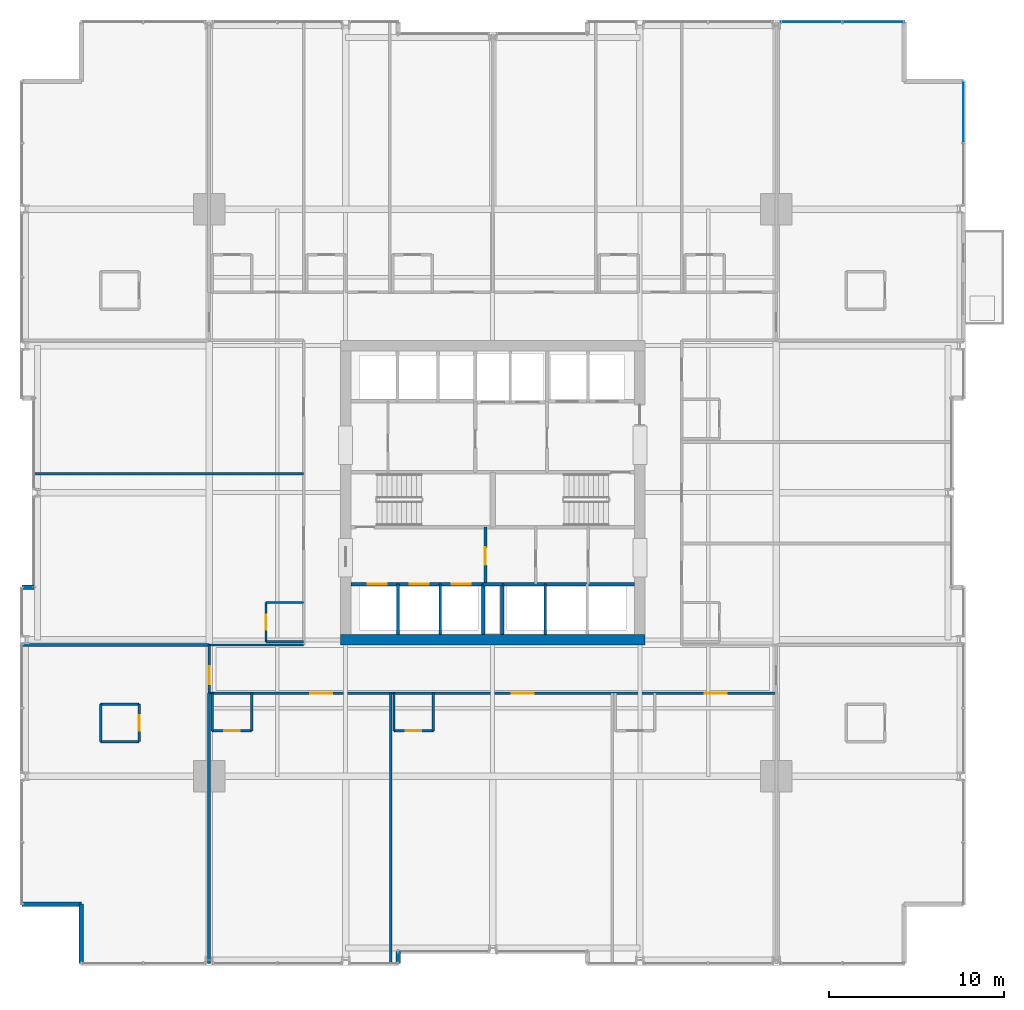
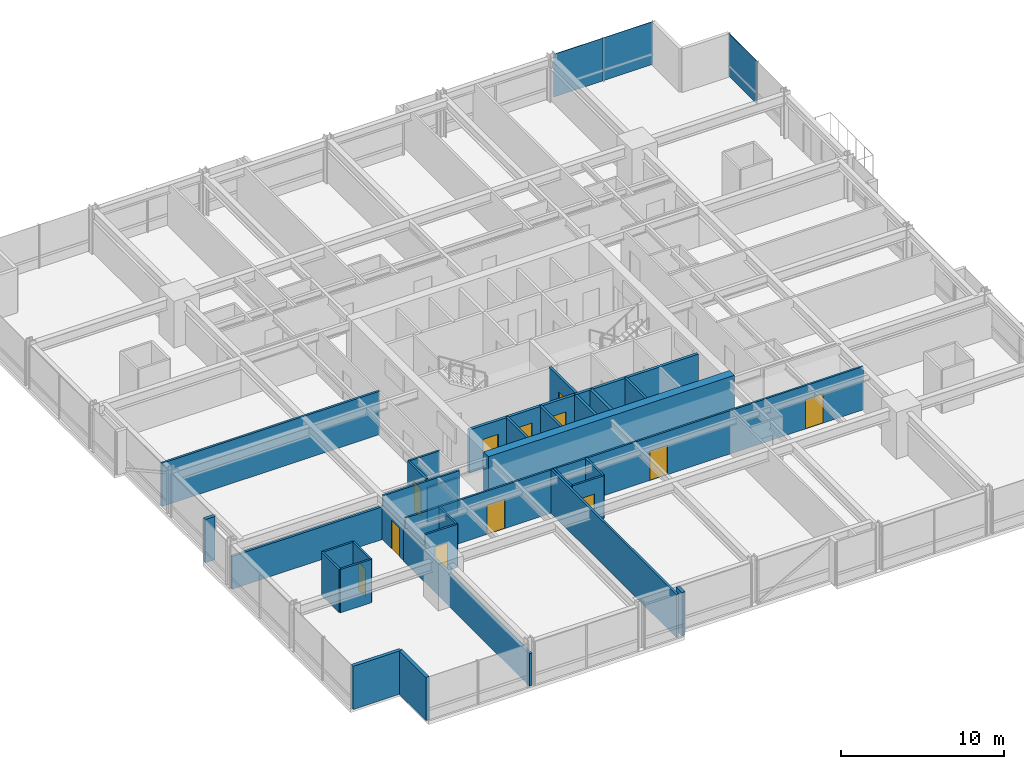
# One storey, part 30 of 38: 34 walls, 12 doors, 3 plates, 12 openings, 2 elements without a shape of their own.
"""IFC4 building model written with IfcOpenShell, lengths in metres."""

from ifc_helpers import new_model, si_unit, direction, frame, frame_2d, origin, origin_2d, place, context, subcontext, project, spatial, rectangle, extrude, material, layer, layer_set, type_object, element, fill, aggregate, save


model = new_model("IFC4")

# Units and contexts
model_context = context("Model", 3, precision=1e-05, world=origin(), true_north=direction((0.0, 1.0)))
body_context = subcontext(model_context, "Body", "Model", "MODEL_VIEW")
ifc_project = project(units=[si_unit("LENGTHUNIT", "METRE"), si_unit("AREAUNIT", "SQUARE_METRE"), si_unit("VOLUMEUNIT", "CUBIC_METRE"), si_unit("PLANEANGLEUNIT", "RADIAN"), si_unit("MASSUNIT", "GRAM", prefix="KILO")], contexts=[model_context])

# Site, building, storey
site_placement = place(None, origin())
site = spatial("IfcSite", under=ifc_project, at=site_placement, CompositionType="ELEMENT")
building_placement = place(site_placement, origin())
building = spatial("IfcBuilding", under=site, at=building_placement, Name="Drelvath Grand Hotel", CompositionType="ELEMENT")
storey_placement = place(building_placement, frame((0.0, 0.0, 64.699951171875)))
storey = spatial("IfcBuildingStorey", under=building, at=storey_placement, Name="L15", CompositionType="ELEMENT", Elevation=64.699951171875)

# Curtain wall, plate
ifc_material_1 = material(Name="Warm Bronze Anodised Aluminium Frame", Category="aluminium")
ifc_layer_1 = layer(ifc_material_1, 0.199951171875)
ifc_layer_set_1 = layer_set([ifc_layer_1], Name="Warm Bronze Anodised Aluminium Frame")
curtain_wall_type = type_object("IfcCurtainWallType", Name="Stick Curtain Wall CW-02 Warm Bronze Low-Rise", PredefinedType="NOTDEFINED", material=ifc_layer_set_1)
curtain_wall_1_placement = place(storey_placement, origin())
curtain_wall_1 = element("IfcCurtainWall", 1, at=curtain_wall_1_placement, inside=storey, type_object=curtain_wall_type, Name="L15 CW-02 Curtain Wall CW02-L15-EN3", PredefinedType="NOTDEFINED")
ifc_material_2 = material(Name="Low-E Triple Silver Vision Glass Bronze Tint", Category="glass")
ifc_layer_2 = layer(ifc_material_2, 0.035888671875)
ifc_layer_set_2 = layer_set([ifc_layer_2], Name="Low-E Triple Silver Vision Glass Bronze Tint")
plate_type = type_object("IfcPlateType", Name="Curtain Wall Vision Panel CW-02 36mm", PredefinedType="CURTAIN_PANEL", material=ifc_layer_set_2)
plate_1_placement = place(storey_placement, frame((26.8798828125, 48.732421875, 0.02001953125), z_axis=(0.0, 0.0, 1.0), x_axis=(0.0, -1.0, 0.0)))
plate_1 = element("IfcPlate", 2, at=plate_1_placement, type_object=plate_type, Name="CW02-L15-EN3 Glazed Panel 1", PredefinedType="CURTAIN_PANEL", context=body_context, shape_type="SweptSolid", body=[
    extrude(rectangle(XDim=3.49560546875, YDim=0.035888671875, at=origin_2d()), origin(), (0.0, 0.0, 1.0), 3.199951171875),
])
aggregate(curtain_wall_1, [plate_1])

# Curtain wall, plates
curtain_wall_2_placement = place(storey_placement, origin())
curtain_wall_2 = element("IfcCurtainWall", 3, at=curtain_wall_2_placement, inside=storey, type_object=curtain_wall_type, Name="L15 CW-02 Curtain Wall CW02-L15-NE3", PredefinedType="NOTDEFINED")
plate_2_placement = place(storey_placement, frame((18.19677734375, 53.8798828125, 0.02001953125), z_axis=(0.0, 0.0, 1.0), x_axis=(1.0, 0.0, 0.0)))
plate_2 = element("IfcPlate", 4, at=plate_2_placement, type_object=plate_type, Name="CW02-L15-NE3 Glazed Panel 1", PredefinedType="CURTAIN_PANEL", context=body_context, shape_type="SweptSolid", body=[
    extrude(rectangle(XDim=3.49560546875, YDim=0.035888671875, at=origin_2d()), origin(), (0.0, 0.0, 1.0), 3.199951171875),
])
plate_3_placement = place(storey_placement, frame((21.732421875, 53.8798828125, 0.02001953125), z_axis=(0.0, 0.0, 1.0), x_axis=(1.0, 0.0, 0.0)))
plate_3 = element("IfcPlate", 5, at=plate_3_placement, type_object=plate_type, Name="CW02-L15-NE3 Glazed Panel 2", PredefinedType="CURTAIN_PANEL", context=body_context, shape_type="SweptSolid", body=[
    extrude(rectangle(XDim=3.49560546875, YDim=0.035888671875, at=origin_2d()), origin(), (0.0, 0.0, 1.0), 3.199951171875),
])
aggregate(curtain_wall_2, [plate_2, plate_3])

# Wall, openings, doors
ifc_material_3 = material(Name="Concrete C40/50", Category="concrete")
ifc_layer_3 = layer(ifc_material_3, 0.199951171875)
ifc_layer_set_3 = layer_set([ifc_layer_3], Name="Concrete C40/50")
wall_type_1 = type_object("IfcWallType", Name="Core Hoistway Fire Wall 200", PredefinedType="SOLIDWALL", material=ifc_layer_set_3)
wall_1_placement = place(storey_placement, frame((-0.550048828125, 21.780029296875, 0.0), z_axis=(0.0, 0.0, 1.0), x_axis=(-1.0, 0.0, 0.0)))
wall_1 = element("IfcWall", 6, at=wall_1_placement, inside=storey, type_object=wall_type_1, Name="L15 Bank 1 Hoistway Wall", PredefinedType="SOLIDWALL", context=body_context, shape_type="SweptSolid", body=[
    extrude(rectangle(XDim=7.550048828125, YDim=0.199951171875, at=frame_2d((3.77490234375, 0.0))), origin(), (0.0, 0.0, 1.0), 3.239990234375),
])
opening_1_placement = place(wall_1_placement, frame((5.5, 0.0, 0.0)))
opening_1 = element("IfcOpeningElement", 7, at=opening_1_placement, cuts=wall_1, Name="Opening LD-PE-1", PredefinedType="OPENING", context=body_context, shape_type="SweptSolid", body=[
    extrude(rectangle(XDim=1.10009765625, YDim=2.199951171875, at=frame_2d((0.550048828125, 1.10009765625))), frame((0.0, 0.10986328125, 0.0), z_axis=(0.0, -1.0, 0.0), x_axis=(1.0, 0.0, 0.0)), (0.0, 0.0, 1.0), 0.219970703125),
])
opening_2_placement = place(wall_1_placement, frame((3.10009765625, 0.0, 0.0)))
opening_2 = element("IfcOpeningElement", 8, at=opening_2_placement, cuts=wall_1, Name="Opening LD-PE-2", PredefinedType="OPENING", context=body_context, shape_type="SweptSolid", body=[
    extrude(rectangle(XDim=1.10009765625, YDim=2.199951171875, at=frame_2d((0.550048828125, 1.10009765625))), frame((0.0, 0.10986328125, 0.0), z_axis=(0.0, -1.0, 0.0), x_axis=(1.0, 0.0, 0.0)), (0.0, 0.0, 1.0), 0.219970703125),
])
opening_3_placement = place(wall_1_placement, frame((0.699951171875, 0.0, 0.0)))
opening_3 = element("IfcOpeningElement", 9, at=opening_3_placement, cuts=wall_1, Name="Opening LD-PE-3", PredefinedType="OPENING", context=body_context, shape_type="SweptSolid", body=[
    extrude(rectangle(XDim=1.10009765625, YDim=2.199951171875, at=frame_2d((0.550048828125, 1.10009765625))), frame((0.0, 0.10986328125, 0.0), z_axis=(0.0, -1.0, 0.0), x_axis=(1.0, 0.0, 0.0)), (0.0, 0.0, 1.0), 0.219970703125),
])
ifc_material_4 = material(Name="Stainless Steel S355", Category="steel")
door_type_1 = type_object("IfcDoorType", Name="Passenger Lift Sliding Landing Door 1100x2200", OperationType="NOTDEFINED", PredefinedType="DOOR", material=ifc_material_4)
door_1_placement = place(opening_1_placement, origin())
door_1 = element("IfcDoor", 10, at=door_1_placement, inside=storey, type_object=door_type_1, Name="L15 Lift PE-1 Landing Door", OperationType="SLIDING_TO_LEFT", OverallHeight=2.199951171875, OverallWidth=1.10009765625, PredefinedType="DOOR", context=body_context, shape_type="SweptSolid", body=[
    extrude(rectangle(XDim=1.10009765625, YDim=2.199951171875, at=frame_2d((0.550048828125, 1.10009765625))), frame((0.0, 0.02490234375, 0.0), z_axis=(0.0, -1.0, 0.0), x_axis=(1.0, 0.0, 0.0)), (0.0, 0.0, 1.0), 0.050048828125),
])
fill(opening_1, door_1)
door_2_placement = place(opening_2_placement, origin())
door_2 = element("IfcDoor", 11, at=door_2_placement, inside=storey, type_object=door_type_1, Name="L15 Lift PE-2 Landing Door", OperationType="SLIDING_TO_LEFT", OverallHeight=2.199951171875, OverallWidth=1.10009765625, PredefinedType="DOOR", context=body_context, shape_type="SweptSolid", body=[
    extrude(rectangle(XDim=1.10009765625, YDim=2.199951171875, at=frame_2d((0.550048828125, 1.10009765625))), frame((0.0, 0.02490234375, 0.0), z_axis=(0.0, -1.0, 0.0), x_axis=(1.0, 0.0, 0.0)), (0.0, 0.0, 1.0), 0.050048828125),
])
fill(opening_2, door_2)
door_3_placement = place(opening_3_placement, origin())
door_3 = element("IfcDoor", 12, at=door_3_placement, inside=storey, type_object=door_type_1, Name="L15 Lift PE-3 Landing Door", OperationType="SLIDING_TO_LEFT", OverallHeight=2.199951171875, OverallWidth=1.10009765625, PredefinedType="DOOR", context=body_context, shape_type="SweptSolid", body=[
    extrude(rectangle(XDim=1.10009765625, YDim=2.199951171875, at=frame_2d((0.550048828125, 1.10009765625))), frame((0.0, 0.02490234375, 0.0), z_axis=(0.0, -1.0, 0.0), x_axis=(1.0, 0.0, 0.0)), (0.0, 0.0, 1.0), 0.050048828125),
])
fill(opening_3, door_3)

# Walls
wall_2_placement = place(storey_placement, frame((-0.550048828125, 18.89990234375, 0.0), z_axis=(0.0, 0.0, 1.0), x_axis=(0.0, 1.0, 0.0)))
element("IfcWall", 13, at=wall_2_placement, inside=storey, type_object=wall_type_1, Name="L15 Bank 1 East Wall", PredefinedType="SOLIDWALL", context=body_context, shape_type="SweptSolid", body=[
    extrude(rectangle(XDim=2.880126953125, YDim=0.199951171875, at=frame_2d((1.43994140625, 0.0))), origin(), (0.0, 0.0, 1.0), 3.239990234375),
])
wall_3_placement = place(storey_placement, frame((8.10009765625, 21.780029296875, 0.0), z_axis=(0.0, 0.0, 1.0), x_axis=(-1.0, 0.0, 0.0)))
element("IfcWall", 14, at=wall_3_placement, inside=storey, type_object=wall_type_1, Name="L15 Bank 2 Hoistway Wall", PredefinedType="SOLIDWALL", context=body_context, shape_type="SweptSolid", body=[
    extrude(rectangle(XDim=7.550048828125, YDim=0.199951171875, at=frame_2d((3.77490234375, 0.0))), origin(), (0.0, 0.0, 1.0), 3.239990234375),
])
wall_4_placement = place(storey_placement, frame((0.550048828125, 18.89990234375, 0.0), z_axis=(0.0, 0.0, 1.0), x_axis=(0.0, 1.0, 0.0)))
element("IfcWall", 15, at=wall_4_placement, inside=storey, type_object=wall_type_1, Name="L15 Bank 2 West Wall", PredefinedType="SOLIDWALL", context=body_context, shape_type="SweptSolid", body=[
    extrude(rectangle(XDim=2.880126953125, YDim=0.199951171875, at=frame_2d((1.43994140625, 0.0))), origin(), (0.0, 0.0, 1.0), 3.239990234375),
])
wall_5_placement = place(storey_placement, frame((-0.550048828125, 21.780029296875, 0.0), z_axis=(0.0, 0.0, 1.0), x_axis=(1.0, 0.0, 0.0)))
element("IfcWall", 16, at=wall_5_placement, inside=storey, type_object=wall_type_1, Name="L15 Core Riser Wall", PredefinedType="SOLIDWALL", context=body_context, shape_type="SweptSolid", body=[
    extrude(rectangle(XDim=1.10009765625, YDim=0.199951171875, at=frame_2d((0.550048828125, 0.0))), origin(), (0.0, 0.0, 1.0), 3.239990234375),
])
ifc_material_5 = material(Name="Gypsum Fireboard Partition")
ifc_layer_4 = layer(ifc_material_5, 0.1650390625)
ifc_layer_set_4 = layer_set([ifc_layer_4], Name="Gypsum Fireboard Partition")
wall_type_2 = type_object("IfcWallType", Name="Core Shaft Partition 165", PredefinedType="PARTITIONING", material=ifc_layer_set_4)
for number, where, z_axis, x_axis, name in (
    (17, (-5.39990234375, 18.89990234375, 0.0), (0.0, 0.0, 1.0), (0.0, 1.0, 0.0), "L15 Lift PE-1/2 Divider"),
    (18, (-3.0, 18.89990234375, 0.0), (0.0, 0.0, 1.0), (0.0, 1.0, 0.0), "L15 Lift PE-2/3 Divider"),
    (19, (3.0, 18.89990234375, 0.0), (0.0, 0.0, 1.0), (0.0, 1.0, 0.0), "L15 Lift PE-4/5 Divider"),
):
    element("IfcWall", number, at=place(storey_placement, frame(where, z_axis=z_axis, x_axis=x_axis)), inside=storey, type_object=wall_type_2, Name=name, PredefinedType="PARTITIONING", context=body_context, shape_type="SweptSolid", body=[
        extrude(rectangle(XDim=2.880126953125, YDim=0.1650390625, at=frame_2d((1.43994140625, 0.0))), origin(), (0.0, 0.0, 1.0), 3.239990234375),
    ])

# Wall, openings, doors
ifc_layer_5 = layer(ifc_material_5, 0.135009765625)
ifc_layer_set_5 = layer_set([ifc_layer_5], Name="Gypsum Fireboard Partition")
wall_type_3 = type_object("IfcWallType", Name="Corridor Fire Barrier Wall 135", PredefinedType="PARTITIONING", material=ifc_layer_set_5)
wall_6_placement = place(storey_placement, frame((-16.199951171875, 15.550048828125, 0.0), z_axis=(0.0, 0.0, 1.0), x_axis=(1.0, 0.0, 0.0)))
wall_6 = element("IfcWall", 20, at=wall_6_placement, inside=storey, type_object=wall_type_3, Name="L15 South Corridor Wall", PredefinedType="PARTITIONING", context=body_context, shape_type="SweptSolid", body=[
    extrude(rectangle(XDim=32.39990234375, YDim=0.135009765625, at=frame_2d((16.199951171875, 0.0))), origin(), (0.0, 0.0, 1.0), 3.239990234375),
])
opening_4_placement = place(wall_6_placement, frame((5.77490234375, 0.0, 0.0)))
opening_4 = element("IfcOpeningElement", 21, at=opening_4_placement, cuts=wall_6, Name="Opening D-T1G4-027", PredefinedType="OPENING", context=body_context, shape_type="SweptSolid", body=[
    extrude(rectangle(XDim=1.260009765625, YDim=2.199951171875, at=frame_2d((0.6298828125, 1.10009765625))), frame((0.0, 0.077392578125, 0.0), z_axis=(0.0, -1.0, 0.0), x_axis=(1.0, 0.0, 0.0)), (0.0, 0.0, 1.0), 0.155029296875),
])
opening_5_placement = place(wall_6_placement, frame((17.28564453125, 0.0, 0.0)))
opening_5 = element("IfcOpeningElement", 22, at=opening_5_placement, cuts=wall_6, Name="Opening D-T1G4-029", PredefinedType="OPENING", context=body_context, shape_type="SweptSolid", body=[
    extrude(rectangle(XDim=1.260009765625, YDim=2.199951171875, at=frame_2d((0.6298828125, 1.10009765625))), frame((0.0, 0.077392578125, 0.0), z_axis=(0.0, -1.0, 0.0), x_axis=(1.0, 0.0, 0.0)), (0.0, 0.0, 1.0), 0.155029296875),
])
opening_6_placement = place(wall_6_placement, frame((28.29541015625, 0.0, 0.0)))
opening_6 = element("IfcOpeningElement", 23, at=opening_6_placement, cuts=wall_6, Name="Opening D-T1G4-031", PredefinedType="OPENING", context=body_context, shape_type="SweptSolid", body=[
    extrude(rectangle(XDim=1.260009765625, YDim=2.199951171875, at=frame_2d((0.6298828125, 1.10009765625))), frame((0.0, 0.077392578125, 0.0), z_axis=(0.0, -1.0, 0.0), x_axis=(1.0, 0.0, 0.0)), (0.0, 0.0, 1.0), 0.155029296875),
])
ifc_material_6 = material(Name="Hardwood Walnut Timber", Category="wood")
door_type_2 = type_object("IfcDoorType", Name="Suite Entrance Fire Door 1260x2200", OperationType="NOTDEFINED", PredefinedType="DOOR", material=ifc_material_6)
door_4_placement = place(opening_4_placement, origin())
door_4 = element("IfcDoor", 24, at=door_4_placement, inside=storey, type_object=door_type_2, Name="L15 Corner Suite Entry Door", OperationType="SINGLE_SWING_RIGHT", OverallHeight=2.199951171875, OverallWidth=1.260009765625, PredefinedType="DOOR", context=body_context, shape_type="SweptSolid", body=[
    extrude(rectangle(XDim=1.260009765625, YDim=2.199951171875, at=frame_2d((0.6298828125, 1.10009765625))), frame((0.0, 0.02490234375, 0.0), z_axis=(0.0, -1.0, 0.0), x_axis=(1.0, 0.0, 0.0)), (0.0, 0.0, 1.0), 0.050048828125),
])
fill(opening_4, door_4)
door_5_placement = place(opening_5_placement, origin())
door_5 = element("IfcDoor", 25, at=door_5_placement, inside=storey, type_object=door_type_2, Name="L15 Corner Suite Entry Door", OperationType="SINGLE_SWING_RIGHT", OverallHeight=2.199951171875, OverallWidth=1.260009765625, PredefinedType="DOOR", context=body_context, shape_type="SweptSolid", body=[
    extrude(rectangle(XDim=1.260009765625, YDim=2.199951171875, at=frame_2d((0.6298828125, 1.10009765625))), frame((0.0, 0.02490234375, 0.0), z_axis=(0.0, -1.0, 0.0), x_axis=(1.0, 0.0, 0.0)), (0.0, 0.0, 1.0), 0.050048828125),
])
fill(opening_5, door_5)
door_6_placement = place(opening_6_placement, origin())
door_6 = element("IfcDoor", 26, at=door_6_placement, inside=storey, type_object=door_type_2, Name="L15 Corner Suite Entry Door", OperationType="SINGLE_SWING_RIGHT", OverallHeight=2.199951171875, OverallWidth=1.260009765625, PredefinedType="DOOR", context=body_context, shape_type="SweptSolid", body=[
    extrude(rectangle(XDim=1.260009765625, YDim=2.199951171875, at=frame_2d((0.6298828125, 1.10009765625))), frame((0.0, 0.02490234375, 0.0), z_axis=(0.0, -1.0, 0.0), x_axis=(1.0, 0.0, 0.0)), (0.0, 0.0, 1.0), 0.050048828125),
])
fill(opening_6, door_6)

# Wall
wall_7_placement = place(storey_placement, frame((-16.199951171875, 18.300048828125, 0.0), z_axis=(0.0, 0.0, 1.0), x_axis=(1.0, 0.0, 0.0)))
element("IfcWall", 27, at=wall_7_placement, inside=storey, type_object=wall_type_3, Name="L15 SW Spur Inner Wall", PredefinedType="PARTITIONING", context=body_context, shape_type="SweptSolid", body=[
    extrude(rectangle(XDim=5.39990234375, YDim=0.135009765625, at=frame_2d((2.699951171875, 0.0))), origin(), (0.0, 0.0, 1.0), 3.239990234375),
])

# Wall, opening, door
wall_8_placement = place(storey_placement, frame((-16.199951171875, 15.550048828125, 0.0), z_axis=(0.0, 0.0, 1.0), x_axis=(0.0, 1.0, 0.0)))
wall_8 = element("IfcWall", 28, at=wall_8_placement, inside=storey, type_object=wall_type_3, Name="L15 South Corridor West End", PredefinedType="PARTITIONING", context=body_context, shape_type="SweptSolid", body=[
    extrude(rectangle(XDim=2.75, YDim=0.135009765625, at=frame_2d((1.375, 0.0))), origin(), (0.0, 0.0, 1.0), 2.451904296875),
])
opening_7_placement = place(wall_8_placement, frame((0.52001953125, 0.0, 0.0)))
opening_7 = element("IfcOpeningElement", 29, at=opening_7_placement, cuts=wall_8, Name="Opening D-T1G4-019", PredefinedType="OPENING", context=body_context, shape_type="SweptSolid", body=[
    extrude(rectangle(XDim=1.02001953125, YDim=2.14990234375, at=frame_2d((0.510009765625, 1.074951171875))), frame((0.0, 0.077392578125, 0.0), z_axis=(0.0, -1.0, 0.0), x_axis=(1.0, 0.0, 0.0)), (0.0, 0.0, 1.0), 0.155029296875),
])
door_type_3 = type_object("IfcDoorType", Name="Amenity Meeting Fire Door 1020x2150", OperationType="NOTDEFINED", PredefinedType="DOOR", material=ifc_material_6)
door_7_placement = place(opening_7_placement, origin())
door_7 = element("IfcDoor", 30, at=door_7_placement, inside=storey, type_object=door_type_3, Name="L15 Corner Suite Entry Door", OperationType="SINGLE_SWING_RIGHT", OverallHeight=2.14990234375, OverallWidth=1.02001953125, PredefinedType="DOOR", context=body_context, shape_type="SweptSolid", body=[
    extrude(rectangle(XDim=1.02001953125, YDim=2.14990234375, at=frame_2d((0.510009765625, 1.074951171875))), frame((0.0, 0.02490234375, 0.0), z_axis=(0.0, -1.0, 0.0), x_axis=(1.0, 0.0, 0.0)), (0.0, 0.0, 1.0), 0.050048828125),
])
fill(opening_7, door_7)

# Walls
ifc_material_7 = material(Name="Moisture-Resistant Gypsum Board")
ifc_layer_6 = layer(ifc_material_7, 0.139892578125)
ifc_layer_set_6 = layer_set([ifc_layer_6], Name="Moisture-Resistant Gypsum Board")
wall_type_4 = type_object("IfcWallType", Name="En-Suite Plumbing Wall 140", PredefinedType="PLUMBINGWALL", material=ifc_layer_set_6)
for number, where, z_axis, x_axis, name in (
    (31, (-22.39990234375, 12.780029296875, 0.0), (0.0, 0.0, 1.0), (1.0, 0.0, 0.0), "L15 Corner En-Suite South"),
    (32, (-22.39990234375, 14.929931640625, 0.0), (0.0, 0.0, 1.0), (1.0, 0.0, 0.0), "L15 Corner En-Suite North"),
):
    element("IfcWall", number, at=place(storey_placement, frame(where, z_axis=z_axis, x_axis=x_axis)), inside=storey, type_object=wall_type_4, Name=name, PredefinedType="PLUMBINGWALL", context=body_context, shape_type="SweptSolid", body=[
        extrude(rectangle(XDim=2.199951171875, YDim=0.139892578125, at=frame_2d((1.10009765625, 0.0))), origin(), (0.0, 0.0, 1.0), 3.239990234375),
    ])
wall_9_placement = place(storey_placement, frame((-22.39990234375, 12.780029296875, 0.0), z_axis=(0.0, 0.0, 1.0), x_axis=(0.0, 1.0, 0.0)))
element("IfcWall", 33, at=wall_9_placement, inside=storey, type_object=wall_type_4, Name="L15 Corner En-Suite West", PredefinedType="PLUMBINGWALL", context=body_context, shape_type="SweptSolid", body=[
    extrude(rectangle(XDim=2.14990234375, YDim=0.139892578125, at=frame_2d((1.074951171875, 0.0))), origin(), (0.0, 0.0, 1.0), 3.239990234375),
])

# Wall, opening, door
wall_10_placement = place(storey_placement, frame((-20.199951171875, 12.780029296875, 0.0), z_axis=(0.0, 0.0, 1.0), x_axis=(0.0, 1.0, 0.0)))
wall_10 = element("IfcWall", 34, at=wall_10_placement, inside=storey, type_object=wall_type_4, Name="L15 Corner En-Suite East", PredefinedType="PLUMBINGWALL", context=body_context, shape_type="SweptSolid", body=[
    extrude(rectangle(XDim=2.14990234375, YDim=0.139892578125, at=frame_2d((1.074951171875, 0.0))), origin(), (0.0, 0.0, 1.0), 3.239990234375),
])
opening_8_placement = place(wall_10_placement, frame((0.6201171875, 0.0, 0.0)))
opening_8 = element("IfcOpeningElement", 35, at=opening_8_placement, cuts=wall_10, Name="Opening D-T1G4-018", PredefinedType="OPENING", context=body_context, shape_type="SweptSolid", body=[
    extrude(rectangle(XDim=0.8798828125, YDim=2.10009765625, at=frame_2d((0.43994140625, 1.050048828125))), frame((0.0, 0.079833984375, 0.0), z_axis=(0.0, -1.0, 0.0), x_axis=(1.0, 0.0, 0.0)), (0.0, 0.0, 1.0), 0.159912109375),
])
door_type_4 = type_object("IfcDoorType", Name="En-Suite Bathroom Door 880x2100", OperationType="NOTDEFINED", PredefinedType="DOOR", material=ifc_material_6)
door_8_placement = place(opening_8_placement, origin())
door_8 = element("IfcDoor", 36, at=door_8_placement, inside=storey, type_object=door_type_4, Name="L15 Corner En-Suite Door", OperationType="SINGLE_SWING_LEFT", OverallHeight=2.10009765625, OverallWidth=0.8798828125, PredefinedType="DOOR", context=body_context, shape_type="SweptSolid", body=[
    extrude(rectangle(XDim=0.8798828125, YDim=2.10009765625, at=frame_2d((0.43994140625, 1.050048828125))), frame((0.0, 0.02490234375, 0.0), z_axis=(0.0, -1.0, 0.0), x_axis=(1.0, 0.0, 0.0)), (0.0, 0.0, 1.0), 0.050048828125),
])
fill(opening_8, door_8)

# Walls
wall_11_placement = place(storey_placement, frame((-16.02001953125, 15.550048828125, 0.0), z_axis=(0.0, 0.0, 1.0), x_axis=(0.0, -1.0, 0.0)))
element("IfcWall", 37, at=wall_11_placement, inside=storey, type_object=wall_type_4, Name="L15 En-Suite Left Wall", PredefinedType="PLUMBINGWALL", context=body_context, shape_type="SweptSolid", body=[
    extrude(rectangle(XDim=2.150146484375, YDim=0.139892578125, at=frame_2d((1.0751953125, 0.0))), origin(), (0.0, 0.0, 1.0), 2.451904296875),
])
wall_12_placement = place(storey_placement, frame((-13.77001953125, 15.550048828125, 0.0), z_axis=(0.0, 0.0, 1.0), x_axis=(0.0, -1.0, 0.0)))
element("IfcWall", 38, at=wall_12_placement, inside=storey, type_object=wall_type_4, Name="L15 En-Suite Right Wall", PredefinedType="PLUMBINGWALL", context=body_context, shape_type="SweptSolid", body=[
    extrude(rectangle(XDim=2.150146484375, YDim=0.139892578125, at=frame_2d((1.0751953125, 0.0))), origin(), (0.0, 0.0, 1.0), 3.239990234375),
])

# Wall, opening, door
wall_13_placement = place(storey_placement, frame((-16.02001953125, 13.39990234375, 0.0), z_axis=(0.0, 0.0, 1.0), x_axis=(1.0, 0.0, 0.0)))
wall_13 = element("IfcWall", 39, at=wall_13_placement, inside=storey, type_object=wall_type_4, Name="L15 En-Suite Front Wall", PredefinedType="PLUMBINGWALL", context=body_context, shape_type="SweptSolid", body=[
    extrude(rectangle(XDim=2.25, YDim=0.139892578125, at=frame_2d((1.125, 0.0))), origin(), (0.0, 0.0, 1.0), 3.239990234375),
])
opening_9_placement = place(wall_13_placement, frame((0.68505859375, 0.0, 0.0)))
opening_9 = element("IfcOpeningElement", 40, at=opening_9_placement, cuts=wall_13, Name="Opening D-T1G4-026", PredefinedType="OPENING", context=body_context, shape_type="SweptSolid", body=[
    extrude(rectangle(XDim=0.8798828125, YDim=2.10009765625, at=frame_2d((0.43994140625, 1.050048828125))), frame((0.0, 0.079833984375, 0.0), z_axis=(0.0, -1.0, 0.0), x_axis=(1.0, 0.0, 0.0)), (0.0, 0.0, 1.0), 0.159912109375),
])
door_9_placement = place(opening_9_placement, origin())
door_9 = element("IfcDoor", 41, at=door_9_placement, inside=storey, type_object=door_type_4, Name="L15 En-Suite Bathroom Door", OperationType="SINGLE_SWING_LEFT", OverallHeight=2.10009765625, OverallWidth=0.8798828125, PredefinedType="DOOR", context=body_context, shape_type="SweptSolid", body=[
    extrude(rectangle(XDim=0.8798828125, YDim=2.10009765625, at=frame_2d((0.43994140625, 1.050048828125))), frame((0.0, 0.02490234375, 0.0), z_axis=(0.0, -1.0, 0.0), x_axis=(1.0, 0.0, 0.0)), (0.0, 0.0, 1.0), 0.050048828125),
])
fill(opening_9, door_9)

# Walls
for number, where, z_axis, x_axis, name in (
    (42, (-5.639892578125, 15.550048828125, 0.0), (0.0, 0.0, 1.0), (0.0, -1.0, 0.0), "L15 En-Suite Left Wall"),
    (43, (-3.389892578125, 15.550048828125, 0.0), (0.0, 0.0, 1.0), (0.0, -1.0, 0.0), "L15 En-Suite Right Wall"),
):
    element("IfcWall", number, at=place(storey_placement, frame(where, z_axis=z_axis, x_axis=x_axis)), inside=storey, type_object=wall_type_4, Name=name, PredefinedType="PLUMBINGWALL", context=body_context, shape_type="SweptSolid", body=[
        extrude(rectangle(XDim=2.150146484375, YDim=0.139892578125, at=frame_2d((1.0751953125, 0.0))), origin(), (0.0, 0.0, 1.0), 3.239990234375),
    ])

# Wall, opening, door
wall_14_placement = place(storey_placement, frame((-5.639892578125, 13.39990234375, 0.0), z_axis=(0.0, 0.0, 1.0), x_axis=(1.0, 0.0, 0.0)))
wall_14 = element("IfcWall", 44, at=wall_14_placement, inside=storey, type_object=wall_type_4, Name="L15 En-Suite Front Wall", PredefinedType="PLUMBINGWALL", context=body_context, shape_type="SweptSolid", body=[
    extrude(rectangle(XDim=2.25, YDim=0.139892578125, at=frame_2d((1.125, 0.0))), origin(), (0.0, 0.0, 1.0), 3.239990234375),
])
opening_10_placement = place(wall_14_placement, frame((0.68505859375, 0.0, 0.0)))
opening_10 = element("IfcOpeningElement", 45, at=opening_10_placement, cuts=wall_14, Name="Opening D-T1G4-028", PredefinedType="OPENING", context=body_context, shape_type="SweptSolid", body=[
    extrude(rectangle(XDim=0.8798828125, YDim=2.10009765625, at=frame_2d((0.43994140625, 1.050048828125))), frame((0.0, 0.079833984375, 0.0), z_axis=(0.0, -1.0, 0.0), x_axis=(1.0, 0.0, 0.0)), (0.0, 0.0, 1.0), 0.159912109375),
])
door_10_placement = place(opening_10_placement, origin())
door_10 = element("IfcDoor", 46, at=door_10_placement, inside=storey, type_object=door_type_4, Name="L15 En-Suite Bathroom Door", OperationType="SINGLE_SWING_LEFT", OverallHeight=2.10009765625, OverallWidth=0.8798828125, PredefinedType="DOOR", context=body_context, shape_type="SweptSolid", body=[
    extrude(rectangle(XDim=0.8798828125, YDim=2.10009765625, at=frame_2d((0.43994140625, 1.050048828125))), frame((0.0, 0.02490234375, 0.0), z_axis=(0.0, -1.0, 0.0), x_axis=(1.0, 0.0, 0.0)), (0.0, 0.0, 1.0), 0.050048828125),
])
fill(opening_10, door_10)

# Walls
wall_15_placement = place(storey_placement, frame((-10.800048828125, 18.47998046875, 0.0), z_axis=(0.0, 0.0, 1.0), x_axis=(-1.0, 0.0, 0.0)))
element("IfcWall", 47, at=wall_15_placement, inside=storey, type_object=wall_type_4, Name="L15 En-Suite Left Wall", PredefinedType="PLUMBINGWALL", context=body_context, shape_type="SweptSolid", body=[
    extrude(rectangle(XDim=2.14990234375, YDim=0.139892578125, at=frame_2d((1.074951171875, 0.0))), origin(), (0.0, 0.0, 1.0), 2.617431640625),
])
wall_16_placement = place(storey_placement, frame((-10.800048828125, 20.72998046875, 0.0), z_axis=(0.0, 0.0, 1.0), x_axis=(-1.0, 0.0, 0.0)))
element("IfcWall", 48, at=wall_16_placement, inside=storey, type_object=wall_type_4, Name="L15 En-Suite Right Wall", PredefinedType="PLUMBINGWALL", context=body_context, shape_type="SweptSolid", body=[
    extrude(rectangle(XDim=2.14990234375, YDim=0.139892578125, at=frame_2d((1.074951171875, 0.0))), origin(), (0.0, 0.0, 1.0), 3.239990234375),
])

# Wall, opening, door
wall_17_placement = place(storey_placement, frame((-12.949951171875, 18.47998046875, 0.0), z_axis=(0.0, 0.0, 1.0), x_axis=(0.0, 1.0, 0.0)))
wall_17 = element("IfcWall", 49, at=wall_17_placement, inside=storey, type_object=wall_type_4, Name="L15 En-Suite Front Wall", PredefinedType="PLUMBINGWALL", context=body_context, shape_type="SweptSolid", body=[
    extrude(rectangle(XDim=2.25, YDim=0.139892578125, at=frame_2d((1.125, 0.0))), origin(), (0.0, 0.0, 1.0), 3.239990234375),
])
opening_11_placement = place(wall_17_placement, frame((0.68505859375, 0.0, 0.0)))
opening_11 = element("IfcOpeningElement", 50, at=opening_11_placement, cuts=wall_17, Name="Opening D-T1G4-043", PredefinedType="OPENING", context=body_context, shape_type="SweptSolid", body=[
    extrude(rectangle(XDim=0.8798828125, YDim=2.10009765625, at=frame_2d((0.43994140625, 1.050048828125))), frame((0.0, 0.079833984375, 0.0), z_axis=(0.0, -1.0, 0.0), x_axis=(1.0, 0.0, 0.0)), (0.0, 0.0, 1.0), 0.159912109375),
])
door_11_placement = place(opening_11_placement, origin())
door_11 = element("IfcDoor", 51, at=door_11_placement, inside=storey, type_object=door_type_4, Name="L15 En-Suite Bathroom Door", OperationType="SINGLE_SWING_RIGHT", OverallHeight=2.10009765625, OverallWidth=0.8798828125, PredefinedType="DOOR", context=body_context, shape_type="SweptSolid", body=[
    extrude(rectangle(XDim=0.8798828125, YDim=2.10009765625, at=frame_2d((0.43994140625, 1.050048828125))), frame((0.0, 0.02490234375, 0.0), z_axis=(0.0, -1.0, 0.0), x_axis=(1.0, 0.0, 0.0)), (0.0, 0.0, 1.0), 0.050048828125),
])
fill(opening_11, door_11)

ifc_layer_7 = layer(ifc_material_5, 0.179931640625)
ifc_layer_set_7 = layer_set([ifc_layer_7], Name="Gypsum Fireboard Partition")
wall_type_5 = type_object("IfcWallType", Name="FSAE Smoke Lobby Fire Wall 180", PredefinedType="SOLIDWALL", material=ifc_layer_set_7)
wall_18_placement = place(storey_placement, frame((-0.419921875, 21.780029296875, 0.0), z_axis=(0.0, 0.0, 1.0), x_axis=(0.0, 1.0, 0.0)))
wall_18 = element("IfcWall", 52, at=wall_18_placement, inside=storey, type_object=wall_type_5, Name="L15 Low-Rise Lobby East Wall", PredefinedType="SOLIDWALL", context=body_context, shape_type="SweptSolid", body=[
    extrude(rectangle(XDim=3.260009765625, YDim=0.179931640625, at=frame_2d((1.6298828125, 0.0))), origin(), (0.0, 0.0, 1.0), 3.239990234375),
])
opening_12_placement = place(wall_18_placement, frame((1.10009765625, 0.0, 0.0)))
opening_12 = element("IfcOpeningElement", 53, at=opening_12_placement, cuts=wall_18, Name="Opening D-T1G4-014", PredefinedType="OPENING", context=body_context, shape_type="SweptSolid", body=[
    extrude(rectangle(XDim=1.0, YDim=2.10009765625, at=frame_2d((0.5, 1.050048828125))), frame((0.0, 0.099853515625, 0.0), z_axis=(0.0, -1.0, 0.0), x_axis=(1.0, 0.0, 0.0)), (0.0, 0.0, 1.0), 0.199951171875),
])
ifc_material_8 = material(Name="Painted Steel S275", Category="steel")
door_type_5 = type_object("IfcDoorType", Name="Core Service Fire Door 1000x2100", OperationType="NOTDEFINED", PredefinedType="DOOR", material=ifc_material_8)
door_12_placement = place(opening_12_placement, origin())
door_12 = element("IfcDoor", 54, at=door_12_placement, inside=storey, type_object=door_type_5, Name="L15 Housekeeping Entry Door", OperationType="SINGLE_SWING_LEFT", OverallHeight=2.10009765625, OverallWidth=1.0, PredefinedType="DOOR", context=body_context, shape_type="SweptSolid", body=[
    extrude(rectangle(XDim=1.0, YDim=2.10009765625, at=frame_2d((0.5, 1.050048828125))), frame((0.0, 0.02490234375, 0.0), z_axis=(0.0, -1.0, 0.0), x_axis=(1.0, 0.0, 0.0)), (0.0, 0.0, 1.0), 0.050048828125),
])
fill(opening_12, door_12)

# Walls
ifc_material_9 = material(Name="Gypsum Acoustic Partition")
ifc_layer_8 = layer(ifc_material_9, 0.14990234375)
ifc_layer_set_8 = layer_set([ifc_layer_8], Name="Gypsum Acoustic Partition")
wall_type_6 = type_object("IfcWallType", Name="Guestroom Demising Wall 150", PredefinedType="PARTITIONING", material=ifc_layer_set_8)
wall_19_placement = place(storey_placement, frame((-5.820068359375, 0.1201171875, 0.0), z_axis=(0.0, 0.0, 1.0), x_axis=(0.0, 1.0, 0.0)))
element("IfcWall", 55, at=wall_19_placement, inside=storey, type_object=wall_type_6, Name="L15 South Demising 1", PredefinedType="PARTITIONING", context=body_context, shape_type="SweptSolid", body=[
    extrude(rectangle(XDim=15.429931640625, YDim=0.14990234375, at=frame_2d((7.71484375, 0.0))), origin(), (0.0, 0.0, 1.0), 3.239990234375),
])
wall_20_placement = place(storey_placement, frame((-26.199951171875, 28.08740234375, 0.0), z_axis=(0.0, 0.0, 1.0), x_axis=(1.0, 0.0, 0.0)))
element("IfcWall", 56, at=wall_20_placement, inside=storey, type_object=wall_type_6, Name="L15 West Demising 1", PredefinedType="PARTITIONING", context=body_context, shape_type="SweptSolid", body=[
    extrude(rectangle(XDim=15.39990234375, YDim=0.14990234375, at=frame_2d((7.699951171875, 0.0))), origin(), (0.0, 0.0, 1.0), 3.239990234375),
])
ifc_material_10 = material(Name="Concrete f'c 70 MPa", Category="concrete")
ifc_layer_9 = layer(ifc_material_10, 0.60009765625)
ifc_layer_set_9 = layer_set([ifc_layer_9], Name="Concrete f'c 70 MPa")
wall_type_7 = type_object("IfcWallType", Name="Lower Core RC Shear Wall 600", PredefinedType="SHEAR", material=ifc_layer_set_9)
wall_21_placement = place(storey_placement, frame((8.699951171875, 18.60009765625, 0.0), z_axis=(0.0, 0.0, 1.0), x_axis=(-1.0, 0.0, 0.0)))
element("IfcWall", 57, at=wall_21_placement, inside=storey, type_object=wall_type_7, Name="L15 Central Core Shear Wall S", PredefinedType="SHEAR", context=body_context, shape_type="SweptSolid", body=[
    extrude(rectangle(XDim=17.39990234375, YDim=0.60009765625, at=frame_2d((8.699951171875, 0.0))), origin(), (0.0, 0.0, 1.0), 3.5),
])
ifc_layer_10 = layer(ifc_material_9, 0.1650390625)
ifc_layer_set_10 = layer_set([ifc_layer_10], Name="Gypsum Acoustic Partition")
wall_type_8 = type_object("IfcWallType", Name="Suite Demising Wall 165", PredefinedType="PARTITIONING", material=ifc_layer_set_10)
wall_22_placement = place(storey_placement, frame((-16.199951171875, 0.1201171875, 0.0), z_axis=(0.0, 0.0, 1.0), x_axis=(0.0, 1.0, 0.0)))
element("IfcWall", 58, at=wall_22_placement, inside=storey, type_object=wall_type_8, Name="L15 SW Wing Boundary Wall", PredefinedType="PARTITIONING", context=body_context, shape_type="SweptSolid", body=[
    extrude(rectangle(XDim=15.429931640625, YDim=0.1650390625, at=frame_2d((7.71484375, 0.0))), origin(), (0.0, 0.0, 1.0), 2.451904296875),
])
wall_23_placement = place(storey_placement, frame((-26.8798828125, 18.300048828125, 0.0), z_axis=(0.0, 0.0, 1.0), x_axis=(1.0, 0.0, 0.0)))
element("IfcWall", 59, at=wall_23_placement, inside=storey, type_object=wall_type_8, Name="L15 SW Corner North Wall", PredefinedType="PARTITIONING", context=body_context, shape_type="SweptSolid", body=[
    extrude(rectangle(XDim=10.679931640625, YDim=0.1650390625, at=frame_2d((5.33984375, 0.0))), origin(), (0.0, 0.0, 1.0), 2.451904296875),
])
ifc_material_11 = material(Name="Pale-Metal Insulated Aluminium Spandrel Assembly", Category="aluminium")
ifc_layer_11 = layer(ifc_material_11, 0.239990234375)
ifc_layer_set_11 = layer_set([ifc_layer_11], Name="Pale-Metal Insulated Aluminium Spandrel Assembly")
wall_type_9 = type_object("IfcWallType", Name="Tower Insulated Metal Spandrel Closure Wall 240", PredefinedType="STANDARD", material=ifc_layer_set_11)
for number, where, z_axis, x_axis, name in (
    (60, (-23.5, 0.1201171875, 0.0), (0.0, 0.0, 1.0), (0.0, 1.0, 0.0), "L15 Notched Corner Return Spandrel Wall CSW1"),
    (61, (-23.5, 3.5, 0.0), (0.0, 0.0, 1.0), (-1.0, 0.0, 0.0), "L15 Notched Corner Return Spandrel Wall CSW2"),
):
    element("IfcWall", number, at=place(storey_placement, frame(where, z_axis=z_axis, x_axis=x_axis)), inside=storey, type_object=wall_type_9, Name=name, PredefinedType="STANDARD", context=body_context, shape_type="SweptSolid", body=[
        extrude(rectangle(XDim=3.3798828125, YDim=0.239990234375, at=frame_2d((1.68994140625, 0.0))), origin(), (0.0, 0.0, 1.0), 3.239990234375),
    ])
for number, where, z_axis, x_axis, name in (
    (62, (-26.8798828125, 21.60009765625, 0.0), (0.0, 0.0, 1.0), (1.0, 0.0, 0.0), "L15 Notched Corner Return Spandrel Wall RW1"),
    (63, (-5.39990234375, 0.800048828125, 0.0), (0.0, 0.0, 1.0), (0.0, -1.0, 0.0), "L15 Notched Corner Return Spandrel Wall RS2"),
):
    element("IfcWall", number, at=place(storey_placement, frame(where, z_axis=z_axis, x_axis=x_axis)), inside=storey, type_object=wall_type_9, Name=name, PredefinedType="STANDARD", context=body_context, shape_type="SweptSolid", body=[
        extrude(rectangle(XDim=0.679931640625, YDim=0.239990234375, at=frame_2d((0.33984375, 0.0))), origin(), (0.0, 0.0, 1.0), 3.239990234375),
    ])

save(model, "model.ifc")
